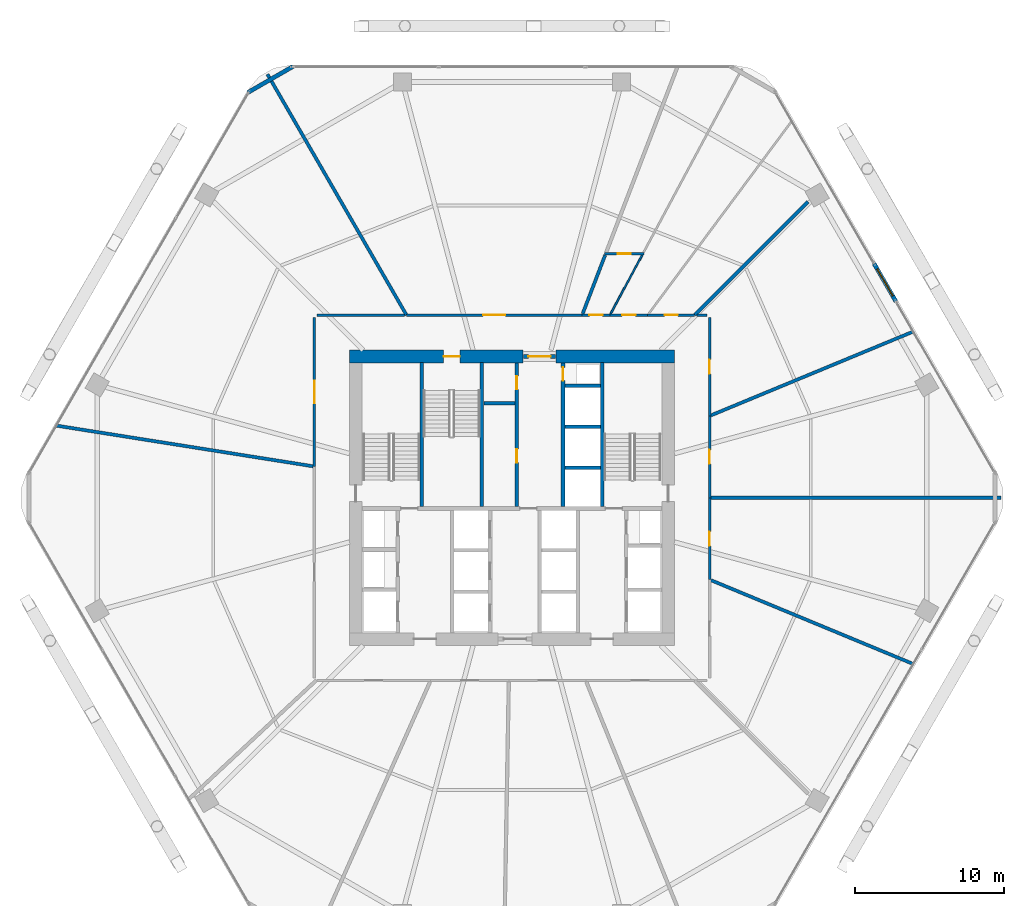
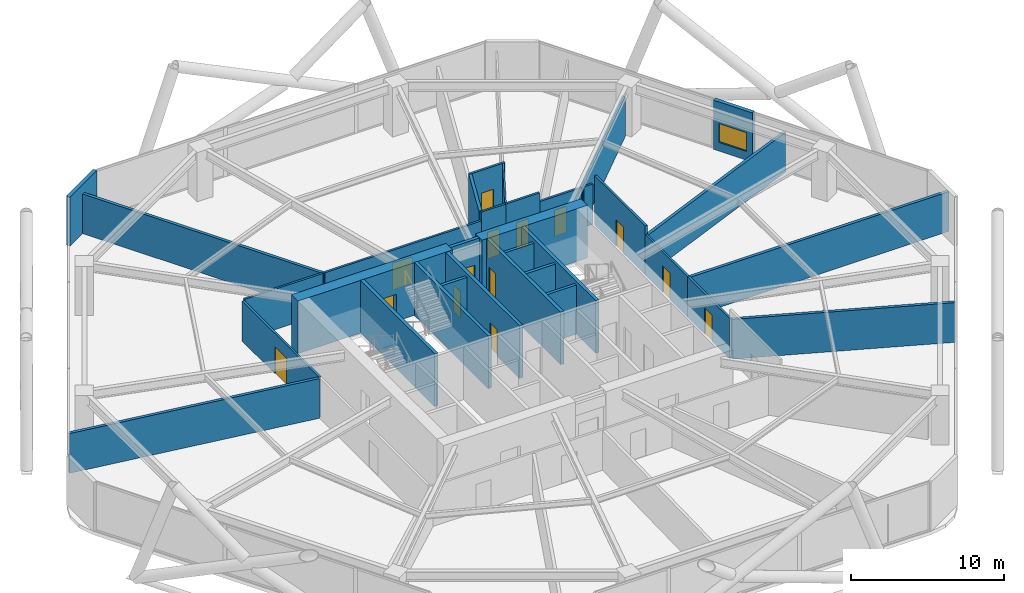
# One storey, part 26 of 28: 33 walls, 14 doors, 1 window, 15 openings.
"""IFC4 building model written with IfcOpenShell, lengths in metres."""

from ifc_helpers import new_model, si_unit, direction, frame, frame_2d, origin, place, context, subcontext, project, spatial, rectangle, extrude, material, layer, layer_set, type_object, element, fill, save


model = new_model("IFC4")

# Units and contexts
model_context = context("Model", 3, precision=1e-05, world=origin(), true_north=direction((0.0, 1.0)))
body_context = subcontext(model_context, "Body", "Model", "MODEL_VIEW")
ifc_project = project(units=[si_unit("LENGTHUNIT", "METRE"), si_unit("AREAUNIT", "SQUARE_METRE"), si_unit("VOLUMEUNIT", "CUBIC_METRE"), si_unit("PLANEANGLEUNIT", "RADIAN"), si_unit("MASSUNIT", "GRAM", prefix="KILO")], contexts=[model_context])

# Site, building, storey
site_placement = place(None, origin())
site = spatial("IfcSite", under=ifc_project, at=site_placement, CompositionType="ELEMENT")
building_placement = place(site_placement, origin())
building = spatial("IfcBuilding", under=site, at=building_placement, Name="Zuhravey Tower", CompositionType="ELEMENT")
storey_placement = place(building_placement, frame((0.0, 0.0, 75.0)))
storey = spatial("IfcBuildingStorey", under=building, at=storey_placement, Name="L18", CompositionType="ELEMENT", Elevation=75.0)

# Wall
ifc_material_1 = material(Name="Concrete C60/75", Category="concrete")
ifc_layer_1 = layer(ifc_material_1, 0.85009765625)
ifc_layer_set_1 = layer_set([ifc_layer_1], Name="Concrete C60/75")
wall_type_1 = type_object("IfcWallType", Name="Core Shear Wall 850", PredefinedType="SHEAR", material=ifc_layer_set_1)
wall_1_placement = place(storey_placement, frame((46.925048828125, 41.5, 0.0), z_axis=(0.0, 0.0, 1.0), x_axis=(-1.0, 0.0, 0.0)))
element("IfcWall", 1, at=wall_1_placement, inside=storey, type_object=wall_type_1, Name="L18 North-East Core Shear Wall CW85", PredefinedType="SHEAR", context=body_context, shape_type="SweptSolid", body=[
    extrude(rectangle(XDim=7.97509765625, YDim=0.85009765625, at=frame_2d((3.987548828125, 0.0))), origin(), (0.0, 0.0, 1.0), 4.199951171875),
])

# Wall, opening, door
wall_2_placement = place(storey_placement, frame((36.75, 41.5, 0.0), z_axis=(0.0, 0.0, 1.0), x_axis=(-1.0, 0.0, 0.0)))
wall_2 = element("IfcWall", 2, at=wall_2_placement, inside=storey, type_object=wall_type_1, Name="L18 North-West Core Shear Wall CW85", PredefinedType="SHEAR", context=body_context, shape_type="SweptSolid", body=[
    extrude(rectangle(XDim=11.675048828125, YDim=0.85009765625, at=frame_2d((5.83740234375, 0.0))), origin(), (0.0, 0.0, 1.0), 4.199951171875),
])
opening_1_placement = place(wall_2_placement, frame((4.25, 0.0, 0.0)))
opening_1 = element("IfcOpeningElement", 3, at=opening_1_placement, cuts=wall_2, Name="Opening STD1", PredefinedType="OPENING", context=body_context, shape_type="SweptSolid", body=[
    extrude(rectangle(XDim=1.10009765625, YDim=2.14990234375, at=frame_2d((0.550048828125, 1.074951171875))), frame((0.0, 0.43701171875, 0.0), z_axis=(0.0, -1.0, 0.0), x_axis=(1.0, 0.0, 0.0)), (0.0, 0.0, 1.0), 0.8740234375),
])
ifc_material_2 = material(Name="Galvanised fire-rated steel leaf", Category="steel")
door_type_1 = type_object("IfcDoorType", Name="Protected Stair Fire Door 1100x2150", OperationType="NOTDEFINED", PredefinedType="USERDEFINED", material=ifc_material_2)
door_1_placement = place(opening_1_placement, origin())
door_1 = element("IfcDoor", 4, at=door_1_placement, inside=storey, type_object=door_type_1, Name="L18 Stair ST3 Door", ObjectType="EXITDOOR", OperationType="SINGLE_SWING_RIGHT", OverallHeight=2.14990234375, OverallWidth=1.10009765625, PredefinedType="USERDEFINED", context=body_context, shape_type="SweptSolid", body=[
    extrude(rectangle(XDim=1.10009765625, YDim=2.14990234375, at=frame_2d((0.550048828125, 1.074951171875))), frame((0.0, 0.02490234375, 0.0), z_axis=(0.0, -1.0, 0.0), x_axis=(1.0, 0.0, 0.0)), (0.0, 0.0, 1.0), 0.050048828125),
])
fill(opening_1, door_1)

ifc_material_3 = material(Name="Gypsum fire-rated stud partition")
ifc_layer_2 = layer(ifc_material_3, 0.159912109375)
ifc_layer_set_2 = layer_set([ifc_layer_2], Name="Gypsum fire-rated stud partition")
wall_type_2 = type_object("IfcWallType", Name="Corridor Fire Partition 160", PredefinedType="PARTITIONING", material=ifc_layer_set_2)
wall_3_placement = place(storey_placement, frame((48.284912109375, 44.284912109375, 0.0), z_axis=(0.0, 0.0, 1.0), x_axis=(-1.0, 0.0, 0.0)))
wall_3 = element("IfcWall", 5, at=wall_3_placement, inside=storey, type_object=wall_type_2, Name="L18 IW16 Partition 019", PredefinedType="PARTITIONING", context=body_context, shape_type="SweptSolid", body=[
    extrude(rectangle(XDim=3.161376953125, YDim=0.159912109375, at=frame_2d((1.58056640625, 0.0))), origin(), (0.0, 0.0, 1.0), 3.219970703125),
])
opening_2_placement = place(wall_3_placement, frame((1.130615234375, 0.0, 0.0)))
opening_2 = element("IfcOpeningElement", 6, at=opening_2_placement, cuts=wall_3, Name="Opening RSD1", PredefinedType="OPENING", context=body_context, shape_type="SweptSolid", body=[
    extrude(rectangle(XDim=0.89990234375, YDim=2.10009765625, at=frame_2d((0.449951171875, 1.050048828125))), frame((0.0, 0.092041015625, 0.0), z_axis=(0.0, -1.0, 0.0), x_axis=(1.0, 0.0, 0.0)), (0.0, 0.0, 1.0), 0.183837890625),
])
ifc_material_4 = material(Name="Galvanised fire-rated steel access leaf", Category="steel")
door_type_2 = type_object("IfcDoorType", Name="Riser & Shaft Access Fire Door 900x2100", OperationType="NOTDEFINED", PredefinedType="DOOR", material=ifc_material_4)
door_2_placement = place(opening_2_placement, frame((0.89990234375, 0.0, 0.0), z_axis=(0.0, 0.0, 1.0), x_axis=(-1.0, 0.0, 0.0)))
door_2 = element("IfcDoor", 7, at=door_2_placement, inside=storey, type_object=door_type_2, Name="L18 Door 019.1", OperationType="SINGLE_SWING_RIGHT", OverallHeight=2.10009765625, OverallWidth=0.89990234375, PredefinedType="DOOR", context=body_context, shape_type="SweptSolid", body=[
    extrude(rectangle(XDim=0.89990234375, YDim=2.10009765625, at=frame_2d((0.449951171875, 1.050048828125))), frame((0.0, 0.02490234375, 0.0), z_axis=(0.0, -1.0, 0.0), x_axis=(1.0, 0.0, 0.0)), (0.0, 0.0, 1.0), 0.050048828125),
])
fill(opening_2, door_2)

wall_4_placement = place(storey_placement, frame((45.12353515625, 44.284912109375, 0.0), z_axis=(0.0, 0.0, 1.0), x_axis=(-1.0, 0.0, 0.0)))
wall_4 = element("IfcWall", 8, at=wall_4_placement, inside=storey, type_object=wall_type_2, Name="L18 IW16 Partition 020", PredefinedType="PARTITIONING", context=body_context, shape_type="SweptSolid", body=[
    extrude(rectangle(XDim=2.536376953125, YDim=0.159912109375, at=frame_2d((1.26806640625, 0.0))), origin(), (0.0, 0.0, 1.0), 3.919921875),
])
opening_3_placement = place(wall_4_placement, frame((0.818115234375, 0.0, 0.0)))
opening_3 = element("IfcOpeningElement", 9, at=opening_3_placement, cuts=wall_4, Name="Opening RSD1", PredefinedType="OPENING", context=body_context, shape_type="SweptSolid", body=[
    extrude(rectangle(XDim=0.89990234375, YDim=2.10009765625, at=frame_2d((0.449951171875, 1.050048828125))), frame((0.0, 0.092041015625, 0.0), z_axis=(0.0, -1.0, 0.0), x_axis=(1.0, 0.0, 0.0)), (0.0, 0.0, 1.0), 0.183837890625),
])
door_3_placement = place(opening_3_placement, frame((0.89990234375, 0.0, 0.0), z_axis=(0.0, 0.0, 1.0), x_axis=(-1.0, 0.0, 0.0)))
door_3 = element("IfcDoor", 10, at=door_3_placement, inside=storey, type_object=door_type_2, Name="L18 Door 020.1", OperationType="SINGLE_SWING_LEFT", OverallHeight=2.10009765625, OverallWidth=0.89990234375, PredefinedType="DOOR", context=body_context, shape_type="SweptSolid", body=[
    extrude(rectangle(XDim=0.89990234375, YDim=2.10009765625, at=frame_2d((0.449951171875, 1.050048828125))), frame((0.0, 0.02490234375, 0.0), z_axis=(0.0, -1.0, 0.0), x_axis=(1.0, 0.0, 0.0)), (0.0, 0.0, 1.0), 0.050048828125),
])
fill(opening_3, door_3)

wall_5_placement = place(storey_placement, frame((42.211669921875, 48.405029296875, 0.0), z_axis=(0.0, 0.0, 1.0), x_axis=(1.0, 0.0, 0.0)))
wall_5 = element("IfcWall", 11, at=wall_5_placement, inside=storey, type_object=wall_type_2, Name="L18 IW16 Partition 021", PredefinedType="PARTITIONING", context=body_context, shape_type="SweptSolid", body=[
    extrude(rectangle(XDim=2.675537109375, YDim=0.159912109375, at=frame_2d((1.337890625, 0.0))), origin(), (0.0, 0.0, 1.0), 3.919921875),
])
opening_4_placement = place(wall_5_placement, frame((0.8876953125, 0.0, 0.0)))
opening_4 = element("IfcOpeningElement", 12, at=opening_4_placement, cuts=wall_5, Name="Opening RSD1", PredefinedType="OPENING", context=body_context, shape_type="SweptSolid", body=[
    extrude(rectangle(XDim=0.89990234375, YDim=2.10009765625, at=frame_2d((0.449951171875, 1.050048828125))), frame((0.0, 0.092041015625, 0.0), z_axis=(0.0, -1.0, 0.0), x_axis=(1.0, 0.0, 0.0)), (0.0, 0.0, 1.0), 0.183837890625),
])
door_4_placement = place(opening_4_placement, origin())
door_4 = element("IfcDoor", 13, at=door_4_placement, inside=storey, type_object=door_type_2, Name="L18 Door 021.1", OperationType="SINGLE_SWING_RIGHT", OverallHeight=2.10009765625, OverallWidth=0.89990234375, PredefinedType="DOOR", context=body_context, shape_type="SweptSolid", body=[
    extrude(rectangle(XDim=0.89990234375, YDim=2.10009765625, at=frame_2d((0.449951171875, 1.050048828125))), frame((0.0, 0.02490234375, 0.0), z_axis=(0.0, -1.0, 0.0), x_axis=(1.0, 0.0, 0.0)), (0.0, 0.0, 1.0), 0.050048828125),
])
fill(opening_4, door_4)

wall_6_placement = place(storey_placement, frame((42.587158203125, 44.284912109375, 0.0), z_axis=(0.0, 0.0, 1.0), x_axis=(-1.0, 0.0, 0.0)))
wall_6 = element("IfcWall", 14, at=wall_6_placement, inside=storey, type_object=wall_type_2, Name="L18 IW16 Partition 022", PredefinedType="PARTITIONING", context=body_context, shape_type="SweptSolid", body=[
    extrude(rectangle(XDim=1.871337890625, YDim=0.159912109375, at=frame_2d((0.935546875, 0.0))), origin(), (0.0, 0.0, 1.0), 3.919921875),
])
opening_5_placement = place(wall_6_placement, frame((0.485595703125, 0.0, 0.0)))
opening_5 = element("IfcOpeningElement", 15, at=opening_5_placement, cuts=wall_6, Name="Opening RSD1", PredefinedType="OPENING", context=body_context, shape_type="SweptSolid", body=[
    extrude(rectangle(XDim=0.89990234375, YDim=2.10009765625, at=frame_2d((0.449951171875, 1.050048828125))), frame((0.0, 0.092041015625, 0.0), z_axis=(0.0, -1.0, 0.0), x_axis=(1.0, 0.0, 0.0)), (0.0, 0.0, 1.0), 0.183837890625),
])
door_5_placement = place(opening_5_placement, frame((0.89990234375, 0.0, 0.0), z_axis=(0.0, 0.0, 1.0), x_axis=(-1.0, 0.0, 0.0)))
door_5 = element("IfcDoor", 16, at=door_5_placement, inside=storey, type_object=door_type_2, Name="L18 Door 022.1", OperationType="SINGLE_SWING_LEFT", OverallHeight=2.10009765625, OverallWidth=0.89990234375, PredefinedType="DOOR", context=body_context, shape_type="SweptSolid", body=[
    extrude(rectangle(XDim=0.89990234375, YDim=2.10009765625, at=frame_2d((0.449951171875, 1.050048828125))), frame((0.0, 0.02490234375, 0.0), z_axis=(0.0, -1.0, 0.0), x_axis=(1.0, 0.0, 0.0)), (0.0, 0.0, 1.0), 0.050048828125),
])
fill(opening_5, door_5)

wall_7_placement = place(storey_placement, frame((40.7158203125, 44.284912109375, 0.0), z_axis=(0.0, 0.0, 1.0), x_axis=(-1.0, 0.0, 0.0)))
wall_7 = element("IfcWall", 17, at=wall_7_placement, inside=storey, type_object=wall_type_2, Name="L18 IW16 Partition 023", PredefinedType="PARTITIONING", context=body_context, shape_type="SweptSolid", body=[
    extrude(rectangle(XDim=11.80859375, YDim=0.159912109375, at=frame_2d((5.904296875, 0.0))), origin(), (0.0, 0.0, 1.0), 3.219970703125),
])
opening_6_placement = place(wall_7_placement, frame((5.154296875, 0.0, 0.0)))
opening_6 = element("IfcOpeningElement", 18, at=opening_6_placement, cuts=wall_7, Name="Opening FFD1", PredefinedType="OPENING", context=body_context, shape_type="SweptSolid", body=[
    extrude(rectangle(XDim=1.5, YDim=2.14990234375, at=frame_2d((0.75, 1.074951171875))), frame((0.0, 0.092041015625, 0.0), z_axis=(0.0, -1.0, 0.0), x_axis=(1.0, 0.0, 0.0)), (0.0, 0.0, 1.0), 0.183837890625),
])
door_type_3 = type_object("IfcDoorType", Name="Firefighting Lobby Double Door 1500x2150", OperationType="DOUBLE_DOOR_SINGLE_SWING", PredefinedType="DOOR", material=ifc_material_2)
door_6_placement = place(opening_6_placement, frame((1.5, 0.0, 0.0), z_axis=(0.0, 0.0, 1.0), x_axis=(-1.0, 0.0, 0.0)))
door_6 = element("IfcDoor", 19, at=door_6_placement, inside=storey, type_object=door_type_3, Name="L18 Door 023.1", OperationType="DOUBLE_DOOR_SINGLE_SWING", OverallHeight=2.14990234375, OverallWidth=1.5, PredefinedType="DOOR", context=body_context, shape_type="SweptSolid", body=[
    extrude(rectangle(XDim=1.5, YDim=2.14990234375, at=frame_2d((0.75, 1.074951171875))), frame((0.0, 0.02490234375, 0.0), z_axis=(0.0, -1.0, 0.0), x_axis=(1.0, 0.0, 0.0)), (0.0, 0.0, 1.0), 0.050048828125),
])
fill(opening_6, door_6)

wall_8_placement = place(storey_placement, frame((22.715087890625, 44.125, 0.0), z_axis=(0.0, 0.0, 1.0), x_axis=(0.0, -1.0, 0.0)))
wall_8 = element("IfcWall", 20, at=wall_8_placement, inside=storey, type_object=wall_type_2, Name="L18 IW16 Partition 024", PredefinedType="PARTITIONING", context=body_context, shape_type="SweptSolid", body=[
    extrude(rectangle(XDim=10.02099609375, YDim=0.159912109375, at=frame_2d((5.010498046875, 0.0))), origin(), (0.0, 0.0, 1.0), 3.219970703125),
])
opening_7_placement = place(wall_8_placement, frame((4.260498046875, 0.0, 0.0)))
opening_7 = element("IfcOpeningElement", 21, at=opening_7_placement, cuts=wall_8, Name="Opening FFD1", PredefinedType="OPENING", context=body_context, shape_type="SweptSolid", body=[
    extrude(rectangle(XDim=1.5, YDim=2.14990234375, at=frame_2d((0.75, 1.074951171875))), frame((0.0, 0.092041015625, 0.0), z_axis=(0.0, -1.0, 0.0), x_axis=(1.0, 0.0, 0.0)), (0.0, 0.0, 1.0), 0.183837890625),
])
door_7_placement = place(opening_7_placement, frame((1.5, 0.0, 0.0), z_axis=(0.0, 0.0, 1.0), x_axis=(-1.0, 0.0, 0.0)))
door_7 = element("IfcDoor", 22, at=door_7_placement, inside=storey, type_object=door_type_3, Name="L18 Door 024.1", OperationType="DOUBLE_DOOR_SINGLE_SWING", OverallHeight=2.14990234375, OverallWidth=1.5, PredefinedType="DOOR", context=body_context, shape_type="SweptSolid", body=[
    extrude(rectangle(XDim=1.5, YDim=2.14990234375, at=frame_2d((0.75, 1.074951171875))), frame((0.0, 0.02490234375, 0.0), z_axis=(0.0, -1.0, 0.0), x_axis=(1.0, 0.0, 0.0)), (0.0, 0.0, 1.0), 0.050048828125),
])
fill(opening_7, door_7)

wall_9_placement = place(storey_placement, frame((49.284912109375, 26.497314453125, 0.0), z_axis=(0.0, 0.0, 1.0), x_axis=(0.0, 1.0, 0.0)))
wall_9 = element("IfcWall", 23, at=wall_9_placement, inside=storey, type_object=wall_type_2, Name="L18 IW16 Partition 031", PredefinedType="PARTITIONING", context=body_context, shape_type="SweptSolid", body=[
    extrude(rectangle(XDim=5.502685546875, YDim=0.159912109375, at=frame_2d((2.75146484375, 0.0))), origin(), (0.0, 0.0, 1.0), 3.219970703125),
])
opening_8_placement = place(wall_9_placement, frame((2.2763671875, 0.0, 0.0)))
opening_8 = element("IfcOpeningElement", 24, at=opening_8_placement, cuts=wall_9, Name="Opening IND1", PredefinedType="OPENING", context=body_context, shape_type="SweptSolid", body=[
    extrude(rectangle(XDim=0.949951171875, YDim=2.10009765625, at=frame_2d((0.47509765625, 1.050048828125))), frame((0.0, 0.092041015625, 0.0), z_axis=(0.0, -1.0, 0.0), x_axis=(1.0, 0.0, 0.0)), (0.0, 0.0, 1.0), 0.183837890625),
])
ifc_material_5 = material(Name="Painted engineered timber leaf", Category="wood")
door_type_4 = type_object("IfcDoorType", Name="Internal Room & Bedroom Door 950x2100", OperationType="NOTDEFINED", PredefinedType="DOOR", material=ifc_material_5)
door_8_placement = place(opening_8_placement, frame((0.949951171875, 0.0, 0.0), z_axis=(0.0, 0.0, 1.0), x_axis=(-1.0, 0.0, 0.0)))
door_8 = element("IfcDoor", 25, at=door_8_placement, inside=storey, type_object=door_type_4, Name="L18 Door 031.1", OperationType="SINGLE_SWING_RIGHT", OverallHeight=2.10009765625, OverallWidth=0.949951171875, PredefinedType="DOOR", context=body_context, shape_type="SweptSolid", body=[
    extrude(rectangle(XDim=0.949951171875, YDim=2.10009765625, at=frame_2d((0.47509765625, 1.050048828125))), frame((0.0, 0.02490234375, 0.0), z_axis=(0.0, -1.0, 0.0), x_axis=(1.0, 0.0, 0.0)), (0.0, 0.0, 1.0), 0.050048828125),
])
fill(opening_8, door_8)

wall_10_placement = place(storey_placement, frame((49.284912109375, 32.0, 0.0), z_axis=(0.0, 0.0, 1.0), x_axis=(0.0, 1.0, 0.0)))
wall_10 = element("IfcWall", 26, at=wall_10_placement, inside=storey, type_object=wall_type_2, Name="L18 IW16 Partition 032", PredefinedType="PARTITIONING", context=body_context, shape_type="SweptSolid", body=[
    extrude(rectangle(XDim=5.502685546875, YDim=0.159912109375, at=frame_2d((2.75146484375, 0.0))), origin(), (0.0, 0.0, 1.0), 3.219970703125),
])
opening_9_placement = place(wall_10_placement, frame((2.2763671875, 0.0, 0.0)))
opening_9 = element("IfcOpeningElement", 27, at=opening_9_placement, cuts=wall_10, Name="Opening IND1", PredefinedType="OPENING", context=body_context, shape_type="SweptSolid", body=[
    extrude(rectangle(XDim=0.949951171875, YDim=2.10009765625, at=frame_2d((0.47509765625, 1.050048828125))), frame((0.0, 0.092041015625, 0.0), z_axis=(0.0, -1.0, 0.0), x_axis=(1.0, 0.0, 0.0)), (0.0, 0.0, 1.0), 0.183837890625),
])
door_9_placement = place(opening_9_placement, frame((0.949951171875, 0.0, 0.0), z_axis=(0.0, 0.0, 1.0), x_axis=(-1.0, 0.0, 0.0)))
door_9 = element("IfcDoor", 28, at=door_9_placement, inside=storey, type_object=door_type_4, Name="L18 Door 032.1", OperationType="SINGLE_SWING_LEFT", OverallHeight=2.10009765625, OverallWidth=0.949951171875, PredefinedType="DOOR", context=body_context, shape_type="SweptSolid", body=[
    extrude(rectangle(XDim=0.949951171875, YDim=2.10009765625, at=frame_2d((0.47509765625, 1.050048828125))), frame((0.0, 0.02490234375, 0.0), z_axis=(0.0, -1.0, 0.0), x_axis=(1.0, 0.0, 0.0)), (0.0, 0.0, 1.0), 0.050048828125),
])
fill(opening_9, door_9)

wall_11_placement = place(storey_placement, frame((49.284912109375, 37.502685546875, 0.0), z_axis=(0.0, 0.0, 1.0), x_axis=(0.0, 1.0, 0.0)))
wall_11 = element("IfcWall", 29, at=wall_11_placement, inside=storey, type_object=wall_type_2, Name="L18 IW16 Partition 033", PredefinedType="PARTITIONING", context=body_context, shape_type="SweptSolid", body=[
    extrude(rectangle(XDim=6.622314453125, YDim=0.159912109375, at=frame_2d((3.31103515625, 0.0))), origin(), (0.0, 0.0, 1.0), 3.919921875),
])
opening_10_placement = place(wall_11_placement, frame((2.836181640625, 0.0, 0.0)))
opening_10 = element("IfcOpeningElement", 30, at=opening_10_placement, cuts=wall_11, Name="Opening IND1", PredefinedType="OPENING", context=body_context, shape_type="SweptSolid", body=[
    extrude(rectangle(XDim=0.949951171875, YDim=2.10009765625, at=frame_2d((0.47509765625, 1.050048828125))), frame((0.0, 0.092041015625, 0.0), z_axis=(0.0, -1.0, 0.0), x_axis=(1.0, 0.0, 0.0)), (0.0, 0.0, 1.0), 0.183837890625),
])
door_10_placement = place(opening_10_placement, frame((0.949951171875, 0.0, 0.0), z_axis=(0.0, 0.0, 1.0), x_axis=(-1.0, 0.0, 0.0)))
door_10 = element("IfcDoor", 31, at=door_10_placement, inside=storey, type_object=door_type_4, Name="L18 Door 033.1", OperationType="SINGLE_SWING_RIGHT", OverallHeight=2.10009765625, OverallWidth=0.949951171875, PredefinedType="DOOR", context=body_context, shape_type="SweptSolid", body=[
    extrude(rectangle(XDim=0.949951171875, YDim=2.10009765625, at=frame_2d((0.47509765625, 1.050048828125))), frame((0.0, 0.02490234375, 0.0), z_axis=(0.0, -1.0, 0.0), x_axis=(1.0, 0.0, 0.0)), (0.0, 0.0, 1.0), 0.050048828125),
])
fill(opening_10, door_10)

# Walls
wall_12_placement = place(storey_placement, frame((28.77099609375, 44.284912109375, 0.0), z_axis=(0.0, 0.0, 1.0), x_axis=(-1.0, 0.0, 0.0)))
element("IfcWall", 32, at=wall_12_placement, inside=storey, type_object=wall_type_2, Name="L18 IW16 Partition 049", PredefinedType="PARTITIONING", context=body_context, shape_type="SweptSolid", body=[
    extrude(rectangle(XDim=5.89599609375, YDim=0.159912109375, at=frame_2d((2.947998046875, 0.0))), origin(), (0.0, 0.0, 1.0), 3.219970703125),
])
wall_13_placement = place(storey_placement, frame((49.125, 44.284912109375, 0.0), z_axis=(0.0, 0.0, 1.0), x_axis=(-1.0, 0.0, 0.0)))
element("IfcWall", 33, at=wall_13_placement, inside=storey, type_object=wall_type_2, Name="L18 IW16 Partition 060", PredefinedType="PARTITIONING", context=body_context, shape_type="SweptSolid", body=[
    extrude(rectangle(XDim=0.673095703125, YDim=0.159912109375, at=frame_2d((0.33642578125, 0.0))), origin(), (0.0, 0.0, 1.0), 3.219970703125),
])
ifc_material_6 = material(Name="Precast concrete C40/50", Category="concrete")
ifc_layer_3 = layer(ifc_material_6, 0.280029296875)
ifc_layer_set_3 = layer_set([ifc_layer_3], Name="Precast concrete C40/50")
wall_type_3 = type_object("IfcWallType", Name="Crown Architectural Wall 280", PredefinedType="SOLIDWALL", material=ifc_layer_set_3)
wall_14_placement = place(storey_placement, frame((18.23876953125, 59.24853515625, 0.0), z_axis=(0.0, 0.0, 1.0), x_axis=(0.866007452331, 0.500031091541, 0.0)))
element("IfcWall", 34, at=wall_14_placement, inside=storey, type_object=wall_type_3, Name="L18 Rounded Corner Closure Wall EW28-08", PredefinedType="SOLIDWALL", context=body_context, shape_type="SweptSolid", body=[
    extrude(rectangle(XDim=3.514892578125, YDim=0.280029296875, at=frame_2d((1.75732421875, 0.0))), origin(), (0.0, 0.0, 1.0), 3.919921875),
])

# Wall, opening, window
wall_15_placement = place(storey_placement, frame((60.34375, 47.752197265625, 0.0), z_axis=(0.0, 0.0, 1.0), x_axis=(0.500024377727, -0.866011328839, 0.0)))
wall_15 = element("IfcWall", 35, at=wall_15_placement, inside=storey, type_object=wall_type_3, Name="L18 Face 1 Facade Pier EW28-1", PredefinedType="SOLIDWALL", context=body_context, shape_type="SweptSolid", body=[
    extrude(rectangle(XDim=2.939697265625, YDim=0.280029296875, at=frame_2d((1.4697265625, 0.0))), origin(), (0.0, 0.0, 1.0), 3.919921875),
])
opening_11_placement = place(wall_15_placement, frame((0.419921875, 0.0, 0.699951171875)))
opening_11 = element("IfcOpeningElement", 36, at=opening_11_placement, cuts=wall_15, Name="Opening WN3", PredefinedType="OPENING", context=body_context, shape_type="SweptSolid", body=[
    extrude(rectangle(XDim=2.10009765625, YDim=1.5, at=frame_2d((1.050048828125, 0.75))), frame((0.0, 0.152099609375, 0.0), z_axis=(0.0, -1.0, 0.0), x_axis=(1.0, 0.0, 0.0)), (0.0, 0.0, 1.0), 0.303955078125),
])
ifc_material_7 = material(Name="Thermally broken aluminium and triple low-E glass", Category="aluminium")
window_type = type_object("IfcWindowType", Name="School Pavilion Window 2100x1500", PartitioningType="SINGLE_PANEL", PredefinedType="WINDOW", material=ifc_material_7)
window_placement = place(opening_11_placement, origin())
window = element("IfcWindow", 37, at=window_placement, inside=storey, type_object=window_type, Name="L18 Face 1 Feature Window", OverallHeight=1.5, OverallWidth=2.10009765625, PartitioningType="SINGLE_PANEL", PredefinedType="WINDOW", context=body_context, shape_type="SweptSolid", body=[
    extrude(rectangle(XDim=2.10009765625, YDim=1.5, at=frame_2d((1.050048828125, 0.75))), frame((0.0, 0.030029296875, 0.0), z_axis=(0.0, -1.0, 0.0), x_axis=(1.0, 0.0, 0.0)), (0.0, 0.0, 1.0), 0.06005859375),
])
fill(opening_11, window)

# Wall, opening, door
ifc_material_8 = material(Name="Concrete C50/60", Category="concrete")
ifc_layer_4 = layer(ifc_material_8, 0.25)
ifc_layer_set_4 = layer_set([ifc_layer_4], Name="Concrete C50/60")
wall_type_4 = type_object("IfcWallType", Name="Firefighting Shaft & Stair Wall 250", PredefinedType="SOLIDWALL", material=ifc_layer_set_4)
wall_16_placement = place(storey_placement, frame((36.760009765625, 41.5, 0.0), z_axis=(0.0, 0.0, 1.0), x_axis=(1.0, 0.0, 0.0)))
wall_16 = element("IfcWall", 38, at=wall_16_placement, inside=storey, type_object=wall_type_4, Name="L18 FW25 Shaft Wall 002", PredefinedType="SOLIDWALL", context=body_context, shape_type="SweptSolid", body=[
    extrude(rectangle(XDim=2.179931640625, YDim=0.25, at=frame_2d((1.08984375, 0.0))), origin(), (0.0, 0.0, 1.0), 4.199951171875),
])
opening_12_placement = place(wall_16_placement, frame((0.340087890625, 0.0, 0.0)))
opening_12 = element("IfcOpeningElement", 39, at=opening_12_placement, cuts=wall_16, Name="Opening FFD1", PredefinedType="OPENING", context=body_context, shape_type="SweptSolid", body=[
    extrude(rectangle(XDim=1.5, YDim=2.14990234375, at=frame_2d((0.75, 1.074951171875))), frame((0.0, 0.136962890625, 0.0), z_axis=(0.0, -1.0, 0.0), x_axis=(1.0, 0.0, 0.0)), (0.0, 0.0, 1.0), 0.27392578125),
])
door_11_placement = place(opening_12_placement, origin())
door_11 = element("IfcDoor", 40, at=door_11_placement, inside=storey, type_object=door_type_3, Name="L18 North Lift Lobby Exit Door", OperationType="DOUBLE_DOOR_SINGLE_SWING", OverallHeight=2.14990234375, OverallWidth=1.5, PredefinedType="DOOR", context=body_context, shape_type="SweptSolid", body=[
    extrude(rectangle(XDim=1.5, YDim=2.14990234375, at=frame_2d((0.75, 1.074951171875))), frame((0.0, 0.02490234375, 0.0), z_axis=(0.0, -1.0, 0.0), x_axis=(1.0, 0.0, 0.0)), (0.0, 0.0, 1.0), 0.050048828125),
])
fill(opening_12, door_11)

# Walls
for number, where, z_axis, x_axis, name in (
    (41, (29.925048828125, 31.39990234375, 0.0), (0.0, 0.0, 1.0), (0.0, 1.0, 0.0), "L18 FW25 Shaft Wall 004"),
    (42, (33.97509765625, 31.39990234375, 0.0), (0.0, 0.0, 1.0), (0.0, 1.0, 0.0), "L18 FW25 Shaft Wall 005"),
    (43, (42.074951171875, 31.39990234375, 0.0), (0.0, 0.0, 1.0), (0.0, 1.0, 0.0), "L18 FW25 Shaft Wall 006"),
):
    element("IfcWall", number, at=place(storey_placement, frame(where, z_axis=z_axis, x_axis=x_axis)), inside=storey, type_object=wall_type_4, Name=name, PredefinedType="SOLIDWALL", context=body_context, shape_type="SweptSolid", body=[
        extrude(rectangle(XDim=9.7001953125, YDim=0.25, at=frame_2d((4.85009765625, 0.0))), origin(), (0.0, 0.0, 1.0), 4.199951171875),
    ])

# Wall, openings, doors
wall_17_placement = place(storey_placement, frame((36.324951171875, 31.39990234375, 0.0), z_axis=(0.0, 0.0, 1.0), x_axis=(0.0, 1.0, 0.0)))
wall_17 = element("IfcWall", 44, at=wall_17_placement, inside=storey, type_object=wall_type_4, Name="L18 FW25 Shaft Wall 007", PredefinedType="SOLIDWALL", context=body_context, shape_type="SweptSolid", body=[
    extrude(rectangle(XDim=9.650146484375, YDim=0.25, at=frame_2d((4.8251953125, 0.0))), origin(), (0.0, 0.0, 1.0), 4.199951171875),
])
opening_13_placement = place(wall_17_placement, frame((2.965087890625, 0.0, 0.0)))
opening_13 = element("IfcOpeningElement", 45, at=opening_13_placement, cuts=wall_17, Name="Opening RSD1", PredefinedType="OPENING", context=body_context, shape_type="SweptSolid", body=[
    extrude(rectangle(XDim=0.89990234375, YDim=2.10009765625, at=frame_2d((0.449951171875, 1.050048828125))), frame((0.0, 0.136962890625, 0.0), z_axis=(0.0, -1.0, 0.0), x_axis=(1.0, 0.0, 0.0)), (0.0, 0.0, 1.0), 0.27392578125),
])
opening_14_placement = place(wall_17_placement, frame((7.885009765625, 0.0, 0.0)))
opening_14 = element("IfcOpeningElement", 46, at=opening_14_placement, cuts=wall_17, Name="Opening RSD1", PredefinedType="OPENING", context=body_context, shape_type="SweptSolid", body=[
    extrude(rectangle(XDim=0.89990234375, YDim=2.10009765625, at=frame_2d((0.449951171875, 1.050048828125))), frame((0.0, 0.136962890625, 0.0), z_axis=(0.0, -1.0, 0.0), x_axis=(1.0, 0.0, 0.0)), (0.0, 0.0, 1.0), 0.27392578125),
])
door_12_placement = place(opening_13_placement, origin())
door_12 = element("IfcDoor", 47, at=door_12_placement, inside=storey, type_object=door_type_2, Name="L18 Equipment and Refuse Store Door", OperationType="SINGLE_SWING_RIGHT", OverallHeight=2.10009765625, OverallWidth=0.89990234375, PredefinedType="DOOR", context=body_context, shape_type="SweptSolid", body=[
    extrude(rectangle(XDim=0.89990234375, YDim=2.10009765625, at=frame_2d((0.449951171875, 1.050048828125))), frame((0.0, 0.02490234375, 0.0), z_axis=(0.0, -1.0, 0.0), x_axis=(1.0, 0.0, 0.0)), (0.0, 0.0, 1.0), 0.050048828125),
])
fill(opening_13, door_12)
door_13_placement = place(opening_14_placement, origin())
door_13 = element("IfcDoor", 48, at=door_13_placement, inside=storey, type_object=door_type_2, Name="L18 BMS Control Room Door", OperationType="SINGLE_SWING_LEFT", OverallHeight=2.10009765625, OverallWidth=0.89990234375, PredefinedType="DOOR", context=body_context, shape_type="SweptSolid", body=[
    extrude(rectangle(XDim=0.89990234375, YDim=2.10009765625, at=frame_2d((0.449951171875, 1.050048828125))), frame((0.0, 0.02490234375, 0.0), z_axis=(0.0, -1.0, 0.0), x_axis=(1.0, 0.0, 0.0)), (0.0, 0.0, 1.0), 0.050048828125),
])
fill(opening_14, door_13)

# Wall, opening, door
wall_18_placement = place(storey_placement, frame((39.425048828125, 31.39990234375, 0.0), z_axis=(0.0, 0.0, 1.0), x_axis=(0.0, 1.0, 0.0)))
wall_18 = element("IfcWall", 49, at=wall_18_placement, inside=storey, type_object=wall_type_4, Name="L18 FW25 Shaft Wall 008", PredefinedType="SOLIDWALL", context=body_context, shape_type="SweptSolid", body=[
    extrude(rectangle(XDim=9.650146484375, YDim=0.25, at=frame_2d((4.8251953125, 0.0))), origin(), (0.0, 0.0, 1.0), 4.199951171875),
])
opening_15_placement = place(wall_18_placement, frame((8.469970703125, 0.0, 0.0)))
opening_15 = element("IfcOpeningElement", 50, at=opening_15_placement, cuts=wall_18, Name="Opening RSD1", PredefinedType="OPENING", context=body_context, shape_type="SweptSolid", body=[
    extrude(rectangle(XDim=0.89990234375, YDim=2.10009765625, at=frame_2d((0.449951171875, 1.050048828125))), frame((0.0, 0.136962890625, 0.0), z_axis=(0.0, -1.0, 0.0), x_axis=(1.0, 0.0, 0.0)), (0.0, 0.0, 1.0), 0.27392578125),
])
door_14_placement = place(opening_15_placement, origin())
door_14 = element("IfcDoor", 51, at=door_14_placement, inside=storey, type_object=door_type_2, Name="L18 North Riser Door", OperationType="SINGLE_SWING_RIGHT", OverallHeight=2.10009765625, OverallWidth=0.89990234375, PredefinedType="DOOR", context=body_context, shape_type="SweptSolid", body=[
    extrude(rectangle(XDim=0.89990234375, YDim=2.10009765625, at=frame_2d((0.449951171875, 1.050048828125))), frame((0.0, 0.02490234375, 0.0), z_axis=(0.0, -1.0, 0.0), x_axis=(1.0, 0.0, 0.0)), (0.0, 0.0, 1.0), 0.050048828125),
])
fill(opening_15, door_14)

# Walls
ifc_material_9 = material(Name="Gypsum acoustic stud assembly")
ifc_layer_5 = layer(ifc_material_9, 0.219970703125)
ifc_layer_set_5 = layer_set([ifc_layer_5], Name="Gypsum acoustic stud assembly")
wall_type_5 = type_object("IfcWallType", Name="School Acoustic Compartment Wall 220", PredefinedType="PARTITIONING", material=ifc_layer_set_5)
wall_19_placement = place(storey_placement, frame((34.10791015625, 38.35009765625, 0.0), z_axis=(0.0, 0.0, 1.0), x_axis=(1.0, 0.0, 0.0)))
element("IfcWall", 52, at=wall_19_placement, inside=storey, type_object=wall_type_5, Name="L18 IW22 Partition 034", PredefinedType="PARTITIONING", context=body_context, shape_type="SweptSolid", body=[
    extrude(rectangle(XDim=2.083984375, YDim=0.219970703125, at=frame_2d((1.0419921875, 0.0))), origin(), (0.0, 0.0, 1.0), 3.919921875),
])
for number, where, z_axis, x_axis, name in (
    (53, (39.55810546875, 34.02490234375, 0.0), (0.0, 0.0, 1.0), (1.0, 0.0, 0.0), "L18 IW22 Partition 035"),
    (54, (39.55810546875, 36.77490234375, 0.0), (0.0, 0.0, 1.0), (1.0, 0.0, 0.0), "L18 IW22 Partition 036"),
    (55, (39.55810546875, 39.52490234375, 0.0), (0.0, 0.0, 1.0), (1.0, 0.0, 0.0), "L18 IW22 Partition 037"),
):
    element("IfcWall", number, at=place(storey_placement, frame(where, z_axis=z_axis, x_axis=x_axis)), inside=storey, type_object=wall_type_5, Name=name, PredefinedType="PARTITIONING", context=body_context, shape_type="SweptSolid", body=[
        extrude(rectangle(XDim=2.3837890625, YDim=0.219970703125, at=frame_2d((1.19189453125, 0.0))), origin(), (0.0, 0.0, 1.0), 3.919921875),
    ])
wall_20_placement = place(storey_placement, frame((48.284912109375, 44.284912109375, 0.0), z_axis=(0.0, 0.0, 1.0), x_axis=(0.707106781187, 0.707106781187, 0.0)))
element("IfcWall", 56, at=wall_20_placement, inside=storey, type_object=wall_type_5, Name="L18 IW22 Partition 042", PredefinedType="PARTITIONING", context=body_context, shape_type="SweptSolid", body=[
    extrude(rectangle(XDim=10.767822265625, YDim=0.219970703125, at=frame_2d((5.3837890625, 0.0))), origin(), (0.0, 0.0, 1.0), 3.219970703125),
])
wall_21_placement = place(storey_placement, frame((40.74951171875, 44.373046875, 0.0), z_axis=(0.0, 0.0, 1.0), x_axis=(0.358370990804, 0.933579259062, 0.0)))
element("IfcWall", 57, at=wall_21_placement, inside=storey, type_object=wall_type_5, Name="L18 IW22 Partition 046", PredefinedType="PARTITIONING", context=body_context, shape_type="SweptSolid", body=[
    extrude(rectangle(XDim=4.224365234375, YDim=0.219970703125, at=frame_2d((2.1123046875, 0.0))), origin(), (0.0, 0.0, 1.0), 3.919921875),
])
wall_22_placement = place(storey_placement, frame((28.9072265625, 44.284912109375, 0.0), z_axis=(0.0, 0.0, 1.0), x_axis=(-0.499994105362, 0.866028807028, 0.0)))
element("IfcWall", 58, at=wall_22_placement, inside=storey, type_object=wall_type_5, Name="L18 IW22 Partition 048", PredefinedType="PARTITIONING", context=body_context, shape_type="SweptSolid", body=[
    extrude(rectangle(XDim=18.697021484375, YDim=0.219970703125, at=frame_2d((9.3486328125, 0.0))), origin(), (0.0, 0.0, 1.0), 3.169921875),
])
wall_23_placement = place(storey_placement, frame((22.626953125, 34.1181640625, 0.0), z_axis=(0.0, 0.0, 1.0), x_axis=(-0.987689809262, 0.156425191961, 0.0)))
element("IfcWall", 59, at=wall_23_placement, inside=storey, type_object=wall_type_5, Name="L18 IW22 Partition 050", PredefinedType="PARTITIONING", context=body_context, shape_type="SweptSolid", body=[
    extrude(rectangle(XDim=17.478759765625, YDim=0.219970703125, at=frame_2d((8.7392578125, 0.0))), origin(), (0.0, 0.0, 1.0), 3.169921875),
])
wall_24_placement = place(storey_placement, frame((49.373046875, 26.460693359375, 0.0), z_axis=(0.0, 0.0, 1.0), x_axis=(0.923882327997, -0.382676683396, 0.0)))
element("IfcWall", 60, at=wall_24_placement, inside=storey, type_object=wall_type_5, Name="L18 IW22 Partition 056", PredefinedType="PARTITIONING", context=body_context, shape_type="SweptSolid", body=[
    extrude(rectangle(XDim=14.733642578125, YDim=0.219970703125, at=frame_2d((7.36669921875, 0.0))), origin(), (0.0, 0.0, 1.0), 3.169921875),
])
wall_25_placement = place(storey_placement, frame((49.373046875, 32.0, 0.0), z_axis=(0.0, 0.0, 1.0), x_axis=(1.0, 0.0, 0.0)))
element("IfcWall", 61, at=wall_25_placement, inside=storey, type_object=wall_type_5, Name="L18 IW22 Partition 058", PredefinedType="PARTITIONING", context=body_context, shape_type="SweptSolid", body=[
    extrude(rectangle(XDim=19.50927734375, YDim=0.219970703125, at=frame_2d((9.754638671875, 0.0))), origin(), (0.0, 0.0, 1.0), 3.169921875),
])
wall_26_placement = place(storey_placement, frame((49.373046875, 37.539306640625, 0.0), z_axis=(0.0, 0.0, 1.0), x_axis=(0.923882327997, 0.382676683396, 0.0)))
element("IfcWall", 62, at=wall_26_placement, inside=storey, type_object=wall_type_5, Name="L18 IW22 Partition 059", PredefinedType="PARTITIONING", context=body_context, shape_type="SweptSolid", body=[
    extrude(rectangle(XDim=14.733642578125, YDim=0.219970703125, at=frame_2d((7.36669921875, 0.0))), origin(), (0.0, 0.0, 1.0), 3.169921875),
])
ifc_material_10 = material(Name="Gypsum metal-stud partition")
ifc_layer_6 = layer(ifc_material_10, 0.1201171875)
ifc_layer_set_6 = layer_set([ifc_layer_6], Name="Gypsum metal-stud partition")
wall_type_6 = type_object("IfcWallType", Name="Unit Internal Partition 120", PredefinedType="PARTITIONING", material=ifc_layer_set_6)
wall_27_placement = place(storey_placement, frame((42.63427734375, 44.373046875, 0.0), z_axis=(0.0, 0.0, 1.0), x_axis=(0.472563527557, 0.881296608653, 0.0)))
element("IfcWall", 63, at=wall_27_placement, inside=storey, type_object=wall_type_6, Name="L18 IW12 Partition 044", PredefinedType="PARTITIONING", context=body_context, shape_type="SweptSolid", body=[
    extrude(rectangle(XDim=4.47509765625, YDim=0.1201171875, at=frame_2d((2.237548828125, 0.0))), origin(), (0.0, 0.0, 1.0), 3.919921875),
])

save(model, "model.ifc")
